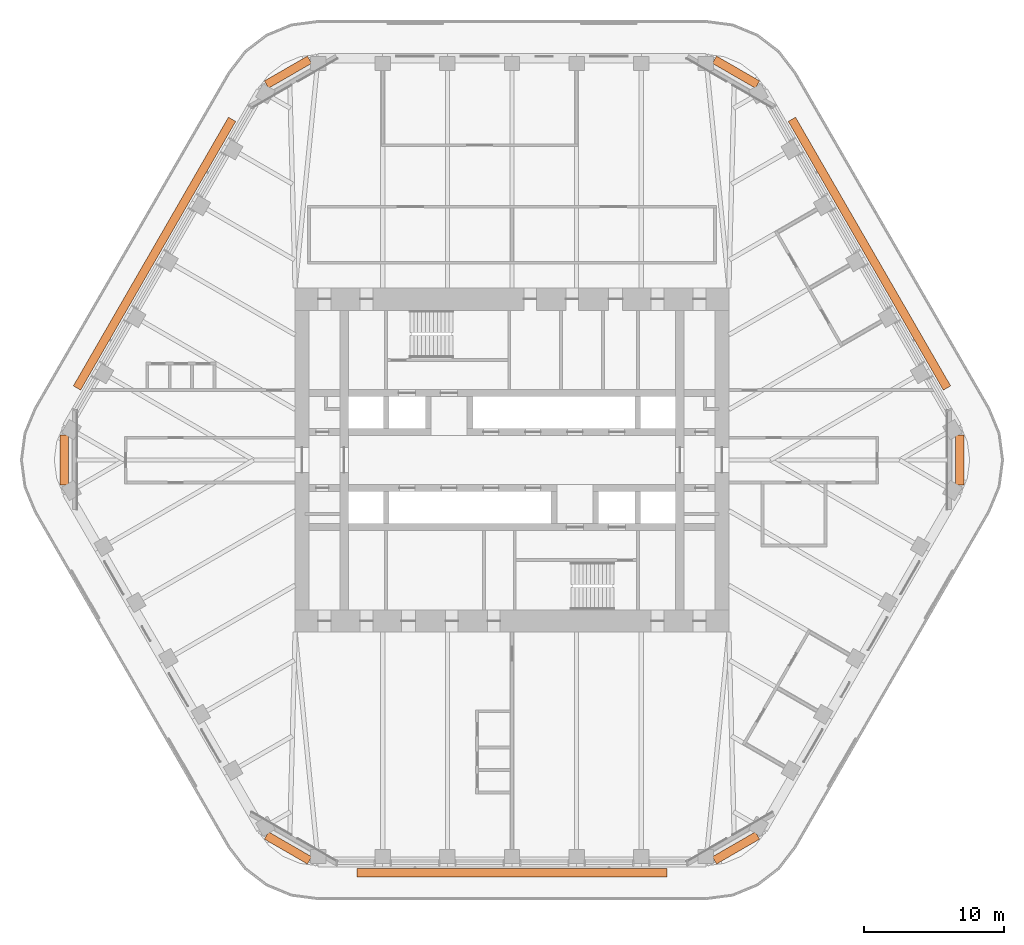
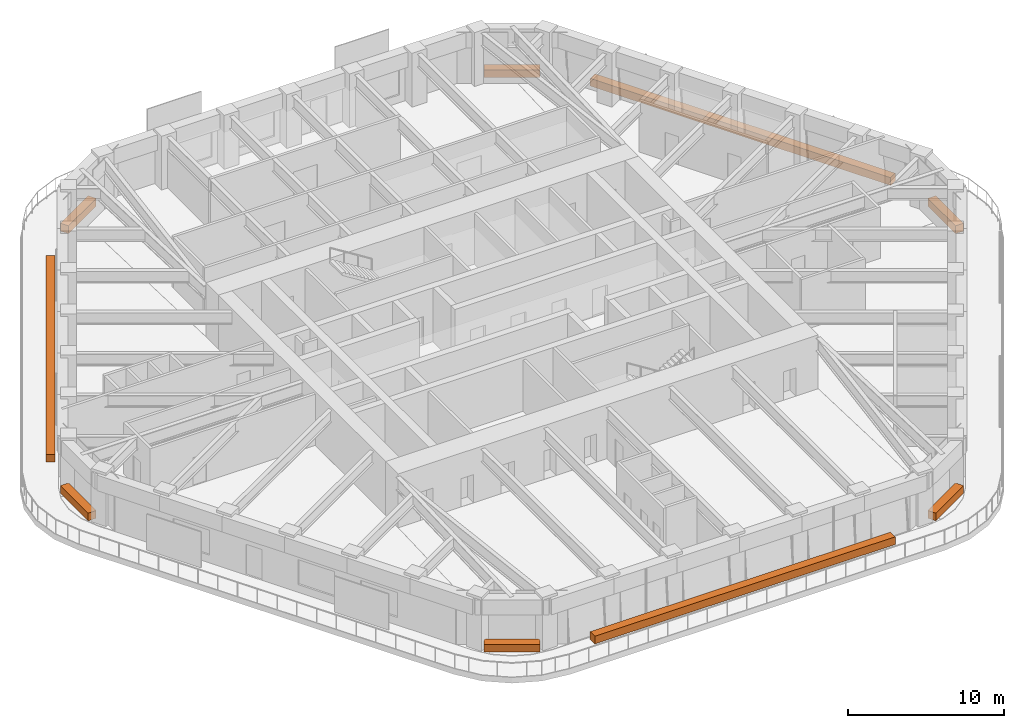
# One storey, part 20 of 20: 9 proxies.
"""IFC4 building model written with IfcOpenShell, lengths in metres."""

from ifc_helpers import new_model, si_unit, direction, frame, origin, origin_2d, place, context, subcontext, project, spatial, rectangle, extrude, material, element, save


model = new_model("IFC4")

# Units and contexts
model_context = context("Model", 3, precision=1e-05, world=origin(), true_north=direction((0.0, 1.0)))
body_context = subcontext(model_context, "Body", "Model", "MODEL_VIEW")
ifc_project = project(units=[si_unit("LENGTHUNIT", "METRE"), si_unit("AREAUNIT", "SQUARE_METRE"), si_unit("VOLUMEUNIT", "CUBIC_METRE"), si_unit("PLANEANGLEUNIT", "RADIAN"), si_unit("MASSUNIT", "GRAM", prefix="KILO")], contexts=[model_context])

# Site, building, storey
site_placement = place(None, origin())
site = spatial("IfcSite", under=ifc_project, at=site_placement, CompositionType="ELEMENT")
building_placement = place(site_placement, origin())
building = spatial("IfcBuilding", under=site, at=building_placement, Name="Tarfa Lantern Tower", CompositionType="ELEMENT")
storey_placement = place(building_placement, frame((0.0, 0.0, 278.5)))
storey = spatial("IfcBuildingStorey", under=building, at=storey_placement, Name="L63", CompositionType="ELEMENT", Elevation=278.5)

# Proxies
ifc_material = material(Name="Planting bed")
for number, where, z_axis, x_axis, name in (
    (1, (16.006591796875, 27.72412109375, 0.0400390625), (0.0, 0.0, 1.0), (-0.866025403784, 0.5, 0.0), "Sky garden planter"),
    (2, (-16.006591796875, 27.72412109375, 0.0400390625), (0.0, 0.0, 1.0), (-0.866025403784, -0.5, 0.0), "Sky garden planter"),
    (3, (-32.012939453125, 0.0, 0.0400390625), (0.0, 0.0, 1.0), (0.0, -1.0, 0.0), "Sky garden planter"),
    (4, (-16.006591796875, -27.72412109375, 0.0400390625), (0.0, 0.0, 1.0), (0.866025403784, -0.5, 0.0), "Sky garden planter"),
    (5, (16.006591796875, -27.72412109375, 0.0400390625), (0.0, 0.0, 1.0), (0.866025403784, 0.5, 0.0), "Sky garden planter"),
    (6, (32.012939453125, 0.0, 0.0400390625), (0.0, 0.0, 1.0), (0.0, 1.0, 0.0), "Sky garden planter"),
):
    element("IfcBuildingElementProxy", number, at=place(storey_placement, frame(where, z_axis=z_axis, x_axis=x_axis)), inside=storey, material=ifc_material, Name=name, ObjectType="PLANTER", PredefinedType="USERDEFINED", context=body_context, shape_type="SweptSolid", body=[
        extrude(rectangle(XDim=3.551025390625, YDim=0.60009765625, at=origin_2d()), origin(), (0.0, 0.0, 1.0), 0.60009765625),
    ])
for number, where, z_axis, x_axis, name in (
    (7, (25.5478515625, 14.75, 0.0), (0.0, 0.0, 1.0), (-0.5, 0.866025403784, 0.0), "Balcony planter"),
    (8, (-25.5478515625, 14.75, 0.0), (0.0, 0.0, 1.0), (-0.5, -0.866025403784, 0.0), "Balcony planter"),
    (9, (0.0, -29.5, 0.0), (0.0, 0.0, 1.0), (1.0, 0.0, 0.0), "Balcony planter"),
):
    element("IfcBuildingElementProxy", number, at=place(storey_placement, frame(where, z_axis=z_axis, x_axis=x_axis)), inside=storey, material=ifc_material, Name=name, ObjectType="PLANTER", PredefinedType="USERDEFINED", context=body_context, shape_type="SweptSolid", body=[
        extrude(rectangle(XDim=22.170166015625, YDim=0.60009765625, at=origin_2d()), origin(), (0.0, 0.0, 1.0), 0.60009765625),
    ])

save(model, "model.ifc")
